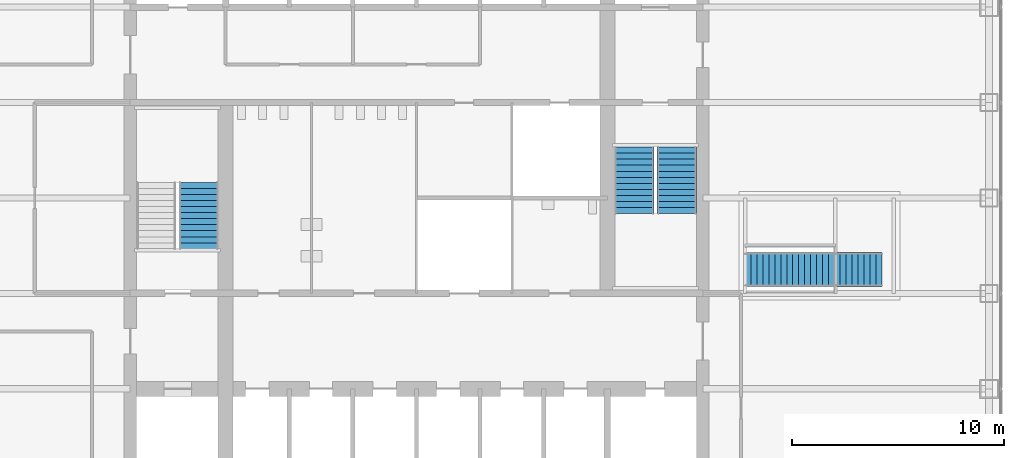
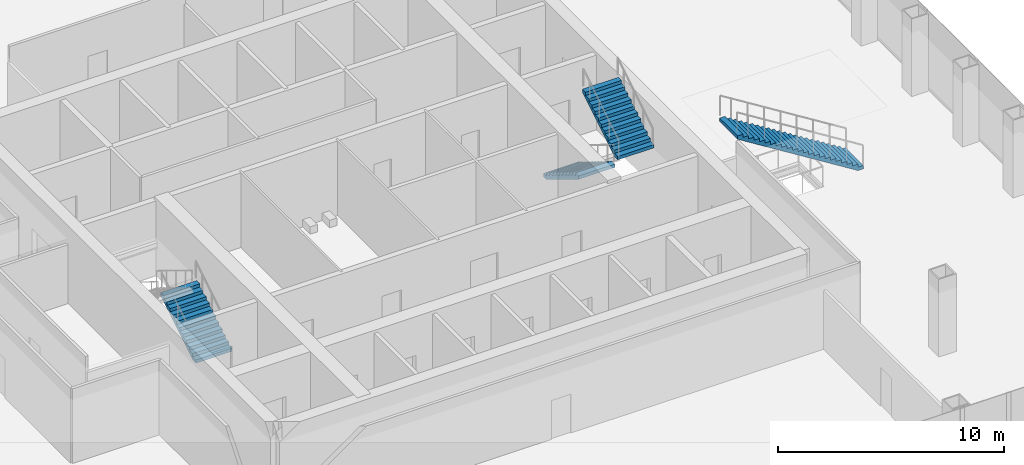
# One storey, part 10 of 12: 4 stair flights, 3 elements without a shape of their own.
"""IFC4 building model written with IfcOpenShell, lengths in metres."""

from ifc_helpers import new_model, si_unit, direction, frame, origin, place, context, subcontext, project, spatial, polyline, outline, extrude, material, type_object, element, aggregate, save


model = new_model("IFC4")

# Units and contexts
model_context = context("Model", 3, precision=1e-05, world=origin(), true_north=direction((0.0, 1.0)))
body_context = subcontext(model_context, "Body", "Model", "MODEL_VIEW")
ifc_project = project(units=[si_unit("LENGTHUNIT", "METRE"), si_unit("AREAUNIT", "SQUARE_METRE"), si_unit("VOLUMEUNIT", "CUBIC_METRE"), si_unit("PLANEANGLEUNIT", "RADIAN"), si_unit("MASSUNIT", "GRAM", prefix="KILO")], contexts=[model_context])

# Site, building, storey
site_placement = place(None, origin())
site = spatial("IfcSite", under=ifc_project, at=site_placement, CompositionType="ELEMENT")
building_placement = place(site_placement, origin())
building = spatial("IfcBuilding", under=site, at=building_placement, Name="Corais Broadcast Tower", CompositionType="ELEMENT")
storey_placement = place(building_placement, frame((0.0, 0.0, 37.39990234375)))
storey = spatial("IfcBuildingStorey", under=building, at=storey_placement, Name="L07", CompositionType="ELEMENT", Elevation=37.39990234375)

# Stair, stair flight
ifc_material_1 = material(Name="Steel ASTM A572 Grade 50", Category="steel")
stair_type_1 = type_object("IfcStairType", Name="Feature stair", PredefinedType="STRAIGHT_RUN_STAIR", material=ifc_material_1)
stair_1_placement = place(storey_placement, origin())
stair_1 = element("IfcStair", 1, at=stair_1_placement, inside=storey, type_object=stair_type_1, Name="Feature stair L07", PredefinedType="STRAIGHT_RUN_STAIR")
ifc_material_2 = material(Name="Steel ASTM A572 Grade 50", Category="steel")
stair_flight_type_1 = type_object("IfcStairFlightType", Name="Feature stair flight", PredefinedType="STRAIGHT", material=ifc_material_2)
stair_flight_1_placement = place(storey_placement, frame((48.93994140625, 23.625, 0.0), z_axis=(0.0, 0.0, 1.0), x_axis=(-1.0, 0.0, 0.0)))
stair_flight_1 = element("IfcStairFlight", 2, at=stair_flight_1_placement, type_object=stair_flight_type_1, Name="FS1 flight 1", NumberOfRisers=24, NumberOfTreads=23, PredefinedType="STRAIGHT", RiserHeight=0.175, TreadLength=0.28, context=body_context, shape_type="SweptSolid", body=[
    extrude(outline(polyline([(0.0, 0.0), (0.0, 0.175048828125), (0.280029296875, 0.175048828125), (0.280029296875, 0.35009765625), (0.56005859375, 0.35009765625), (0.56005859375, 0.52490234375), (0.840087890625, 0.52490234375), (0.840087890625, 0.699951171875), (1.1201171875, 0.699951171875), (1.1201171875, 0.875), (1.39990234375, 0.875), (1.39990234375, 1.050048828125), (1.679931640625, 1.050048828125), (1.679931640625, 1.22509765625), (1.9599609375, 1.22509765625), (1.9599609375, 1.39990234375), (2.239990234375, 1.39990234375), (2.239990234375, 1.574951171875), (2.52001953125, 1.574951171875), (2.52001953125, 1.75), (2.800048828125, 1.75), (2.800048828125, 1.925048828125), (3.080078125, 1.925048828125), (3.080078125, 2.10009765625), (3.360107421875, 2.10009765625), (3.360107421875, 2.27490234375), (3.639892578125, 2.27490234375), (3.639892578125, 2.449951171875), (3.919921875, 2.449951171875), (3.919921875, 2.625), (4.199951171875, 2.625), (4.199951171875, 2.800048828125), (4.47998046875, 2.800048828125), (4.47998046875, 2.97509765625), (4.760009765625, 2.97509765625), (4.760009765625, 3.14990234375), (5.0400390625, 3.14990234375), (5.0400390625, 3.324951171875), (5.320068359375, 3.324951171875), (5.320068359375, 3.5), (5.60009765625, 3.5), (5.60009765625, 3.675048828125), (5.8798828125, 3.675048828125), (5.8798828125, 3.85009765625), (6.159912109375, 3.85009765625), (6.159912109375, 4.02490234375), (6.43994140625, 4.02490234375), (6.43994140625, 4.199951171875), (6.43994140625, 3.84814453125), (0.28271484375, 0.0), (0.0, 0.0)])), frame((0.0, 0.800048828125, 0.0), z_axis=(0.0, -1.0, 0.0), x_axis=(1.0, 0.0, 0.0)), (0.0, 0.0, 1.0), 1.60009765625),
])
aggregate(stair_1, [stair_flight_1])

ifc_material_3 = material(Name="Concrete C30/37", Category="concrete")
stair_type_2 = type_object("IfcStairType", Name="Half-turn stair 4200", PredefinedType="HALF_TURN_STAIR", material=ifc_material_3)
stair_2_placement = place(storey_placement, origin())
stair_2 = element("IfcStair", 3, at=stair_2_placement, inside=storey, type_object=stair_type_2, Name="Stair A L07", PredefinedType="HALF_TURN_STAIR")
ifc_material_4 = material(Name="Concrete C30/37", Category="concrete")
stair_flight_type_2 = type_object("IfcStairFlightType", Name="Stair flight 4200", PredefinedType="STRAIGHT", material=ifc_material_4)
stair_flight_2_placement = place(storey_placement, frame((16.72509765625, 24.60009765625, 0.0), z_axis=(0.0, 0.0, 1.0), x_axis=(0.0, 1.0, 0.0)))
stair_flight_2 = element("IfcStairFlight", 4, at=stair_flight_2_placement, type_object=stair_flight_type_2, Name="STA flight 1", NumberOfRisers=12, NumberOfTreads=11, PredefinedType="STRAIGHT", RiserHeight=0.175, TreadLength=0.285, context=body_context, shape_type="SweptSolid", body=[
    extrude(outline(polyline([(0.0, 0.0), (0.0, 0.175048828125), (0.284912109375, 0.175048828125), (0.284912109375, 0.35009765625), (0.570068359375, 0.35009765625), (0.570068359375, 0.52490234375), (0.85498046875, 0.52490234375), (0.85498046875, 0.699951171875), (1.139892578125, 0.699951171875), (1.139892578125, 0.875), (1.425048828125, 0.875), (1.425048828125, 1.050048828125), (1.7099609375, 1.050048828125), (1.7099609375, 1.22509765625), (1.9951171875, 1.22509765625), (1.9951171875, 1.39990234375), (2.280029296875, 1.39990234375), (2.280029296875, 1.574951171875), (2.56494140625, 1.574951171875), (2.56494140625, 1.75), (2.85009765625, 1.75), (2.85009765625, 1.925048828125), (3.135009765625, 1.925048828125), (3.135009765625, 2.10009765625), (3.135009765625, 1.7490234375), (0.286376953125, 0.0), (0.0, 0.0)])), frame((0.0, 0.925048828125, 0.0), z_axis=(0.0, -1.0, 0.0), x_axis=(1.0, 0.0, 0.0)), (0.0, 0.0, 1.0), 1.85009765625),
])
aggregate(stair_2, [stair_flight_2])

# Stair, stair flights
stair_3_placement = place(storey_placement, origin())
stair_3 = element("IfcStair", 5, at=stair_3_placement, inside=storey, type_object=stair_type_2, Name="Stair B L07", PredefinedType="HALF_TURN_STAIR")
stair_flight_3_placement = place(storey_placement, frame((37.27490234375, 29.39990234375, 0.0), z_axis=(0.0, 0.0, 1.0), x_axis=(0.0, -1.0, 0.0)))
stair_flight_3 = element("IfcStairFlight", 6, at=stair_flight_3_placement, type_object=stair_flight_type_2, Name="STB flight 1", NumberOfRisers=12, NumberOfTreads=11, PredefinedType="STRAIGHT", RiserHeight=0.175, TreadLength=0.285, context=body_context, shape_type="SweptSolid", body=[
    extrude(outline(polyline([(0.0, 0.0), (0.0, 0.175048828125), (0.284912109375, 0.175048828125), (0.284912109375, 0.35009765625), (0.570068359375, 0.35009765625), (0.570068359375, 0.52490234375), (0.85498046875, 0.52490234375), (0.85498046875, 0.699951171875), (1.139892578125, 0.699951171875), (1.139892578125, 0.875), (1.425048828125, 0.875), (1.425048828125, 1.050048828125), (1.7099609375, 1.050048828125), (1.7099609375, 1.22509765625), (1.9951171875, 1.22509765625), (1.9951171875, 1.39990234375), (2.280029296875, 1.39990234375), (2.280029296875, 1.574951171875), (2.56494140625, 1.574951171875), (2.56494140625, 1.75), (2.85009765625, 1.75), (2.85009765625, 1.925048828125), (3.135009765625, 1.925048828125), (3.135009765625, 2.10009765625), (3.135009765625, 1.7490234375), (0.286376953125, 0.0), (0.0, 0.0)])), frame((0.0, 0.925048828125, 0.0), z_axis=(0.0, -1.0, 0.0), x_axis=(1.0, 0.0, 0.0)), (0.0, 0.0, 1.0), 1.85009765625),
])
stair_flight_4_placement = place(storey_placement, frame((39.27490234375, 26.264892578125, 2.10009765625), z_axis=(0.0, 0.0, 1.0), x_axis=(0.0, 1.0, 0.0)))
stair_flight_4 = element("IfcStairFlight", 7, at=stair_flight_4_placement, type_object=stair_flight_type_2, Name="STB flight 2", NumberOfRisers=12, NumberOfTreads=11, PredefinedType="STRAIGHT", RiserHeight=0.175, TreadLength=0.285, context=body_context, shape_type="SweptSolid", body=[
    extrude(outline(polyline([(0.0, 0.0), (0.0, 0.175048828125), (0.284912109375, 0.175048828125), (0.284912109375, 0.35009765625), (0.570068359375, 0.35009765625), (0.570068359375, 0.52490234375), (0.85498046875, 0.52490234375), (0.85498046875, 0.699951171875), (1.139892578125, 0.699951171875), (1.139892578125, 0.875), (1.425048828125, 0.875), (1.425048828125, 1.050048828125), (1.7099609375, 1.050048828125), (1.7099609375, 1.22509765625), (1.9951171875, 1.22509765625), (1.9951171875, 1.39990234375), (2.280029296875, 1.39990234375), (2.280029296875, 1.574951171875), (2.56494140625, 1.574951171875), (2.56494140625, 1.75), (2.85009765625, 1.75), (2.85009765625, 1.925048828125), (3.135009765625, 1.925048828125), (3.135009765625, 2.10009765625), (3.135009765625, 1.7490234375), (0.286376953125, 0.0), (0.0, 0.0)])), frame((0.0, 0.925048828125, 0.0), z_axis=(0.0, -1.0, 0.0), x_axis=(1.0, 0.0, 0.0)), (0.0, 0.0, 1.0), 1.85009765625),
])
aggregate(stair_3, [stair_flight_3, stair_flight_4])

save(model, "model.ifc")
